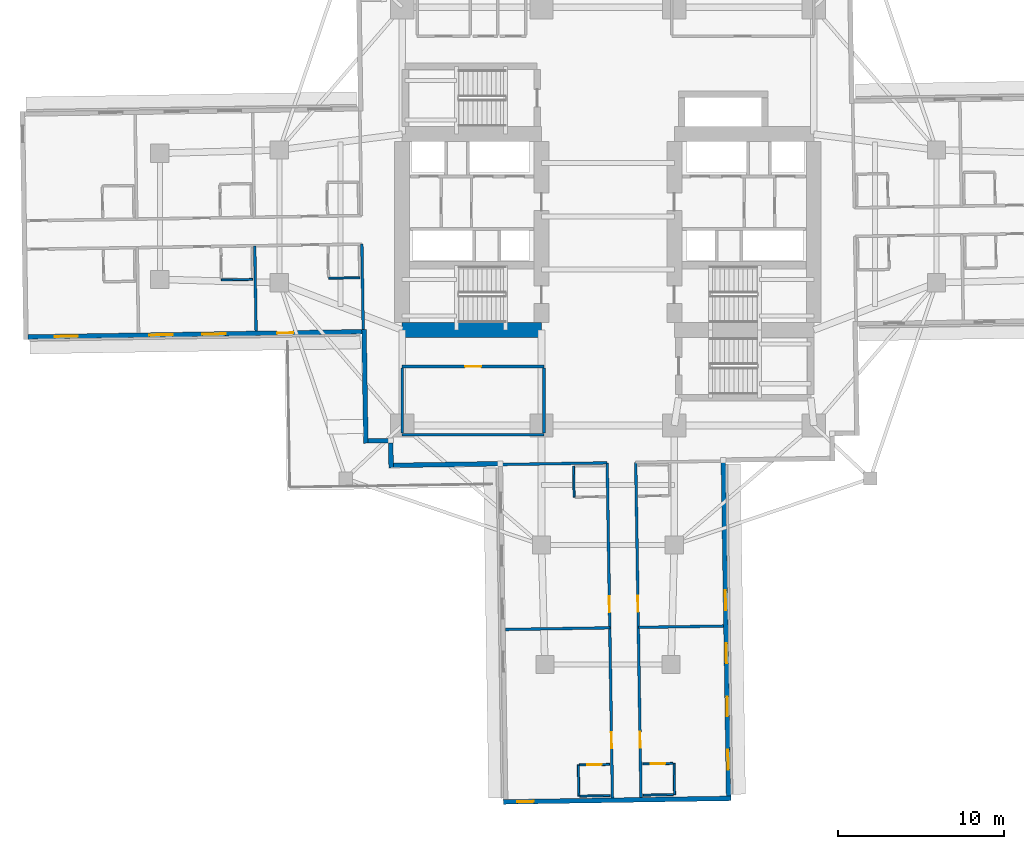
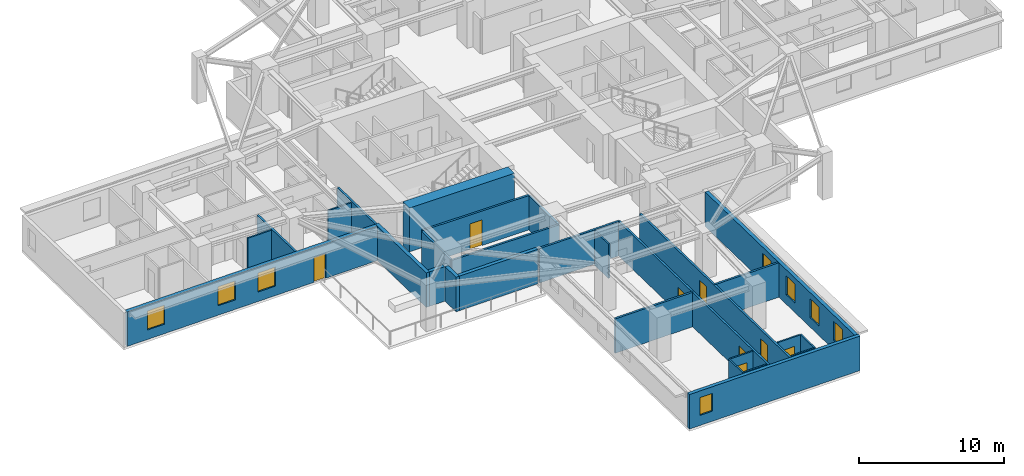
# One storey, part 3 of 14: 28 walls, 8 doors, 8 windows, 16 openings.
"""IFC4 building model written with IfcOpenShell, lengths in metres."""

from ifc_helpers import new_model, si_unit, direction, frame, frame_2d, origin, place, context, subcontext, project, spatial, rectangle, extrude, material, layer, layer_set, type_object, element, fill, save


model = new_model("IFC4")

# Units and contexts
model_context = context("Model", 3, precision=1e-05, world=origin(), true_north=direction((0.0, 1.0)))
body_context = subcontext(model_context, "Body", "Model", "MODEL_VIEW")
ifc_project = project(units=[si_unit("LENGTHUNIT", "METRE"), si_unit("AREAUNIT", "SQUARE_METRE"), si_unit("VOLUMEUNIT", "CUBIC_METRE"), si_unit("PLANEANGLEUNIT", "RADIAN"), si_unit("MASSUNIT", "GRAM", prefix="KILO")], contexts=[model_context])

# Site, building, storey
site_placement = place(None, origin())
site = spatial("IfcSite", under=ifc_project, at=site_placement, CompositionType="ELEMENT")
building_placement = place(site_placement, origin())
building = spatial("IfcBuilding", under=site, at=building_placement, Name="Qingluan Cross Belvedere", CompositionType="ELEMENT")
storey_placement = place(building_placement, frame((0.0, 0.0, 60.0)))
storey = spatial("IfcBuildingStorey", under=building, at=storey_placement, Name="L15", CompositionType="ELEMENT", Elevation=60.0)

# Walls
ifc_material_1 = material(Name="Concrete C70", Category="concrete")
ifc_layer_1 = layer(ifc_material_1, 0.89990234375, Name="CoreShearWall_900")
ifc_layer_set_1 = layer_set([ifc_layer_1], Name="Concrete C70")
wall_type_1 = type_object("IfcWallType", Name="CoreShearWall_900", PredefinedType="SHEAR", material=ifc_layer_set_1)
wall_1_placement = place(storey_placement, frame((-12.39990234375, -6.85009765625, 0.0), z_axis=(0.0, 0.0, 1.0), x_axis=(1.0, 0.0, 0.0)))
element("IfcWall", 1, at=wall_1_placement, inside=storey, type_object=wall_type_1, Name="Split core W shear wall L15-S", PredefinedType="SHEAR", context=body_context, shape_type="SweptSolid", body=[
    extrude(rectangle(XDim=8.39990234375, YDim=0.89990234375, at=frame_2d((4.199951171875, 0.0))), origin(), (0.0, 0.0, 1.0), 3.699951171875),
])
ifc_material_2 = material(Name="Gypsum plasterboard on steel stud acoustic partition", Category="steel")
ifc_layer_2 = layer(ifc_material_2, 0.159912109375, Name="CorridorPartition_160")
ifc_layer_set_2 = layer_set([ifc_layer_2], Name="Gypsum plasterboard on steel stud acoustic partition")
wall_type_2 = type_object("IfcWallType", Name="CorridorPartition_160", PredefinedType="PARTITIONING", material=ifc_layer_set_2)
wall_2_placement = place(storey_placement, frame((-12.39990234375, -13.14990234375, 0.0), z_axis=(0.0, 0.0, 1.0), x_axis=(1.0, 0.0, 0.0)))
element("IfcWall", 2, at=wall_2_placement, inside=storey, type_object=wall_type_2, Name="Partition L15:q_sw:S", PredefinedType="PARTITIONING", context=body_context, shape_type="SweptSolid", body=[
    extrude(rectangle(XDim=8.5498046875, YDim=0.159912109375, at=frame_2d((4.27490234375, 0.0))), origin(), (0.0, 0.0, 1.0), 2.89990234375),
])

# Wall, opening, door
wall_3_placement = place(storey_placement, frame((-12.39990234375, -9.050048828125, 0.0), z_axis=(0.0, 0.0, 1.0), x_axis=(1.0, 0.0, 0.0)))
wall_3 = element("IfcWall", 3, at=wall_3_placement, inside=storey, type_object=wall_type_2, Name="Partition L15:q_sw:N", PredefinedType="PARTITIONING", context=body_context, shape_type="SweptSolid", body=[
    extrude(rectangle(XDim=8.5498046875, YDim=0.159912109375, at=frame_2d((4.27490234375, 0.0))), origin(), (0.0, 0.0, 1.0), 2.89990234375),
])
opening_1_placement = place(wall_3_placement, frame((3.794921875, 0.0, 0.0)))
opening_1 = element("IfcOpeningElement", 4, at=opening_1_placement, cuts=wall_3, Name="Opening GD-10", PredefinedType="OPENING", context=body_context, shape_type="SweptSolid", body=[
    extrude(rectangle(XDim=0.9599609375, YDim=2.14990234375, at=frame_2d((0.47998046875, 1.074951171875))), frame((0.0, 0.08984375, 0.0), z_axis=(0.0, -1.0, 0.0), x_axis=(1.0, 0.0, 0.0)), (0.0, 0.0, 1.0), 0.179931640625),
])
ifc_material_3 = material(Name="Timber oak fire-rated acoustic guestroom door", Category="wood")
door_type_1 = type_object("IfcDoorType", Name="GuestEntryDoor_FD60", OperationType="NOTDEFINED", PredefinedType="DOOR", material=ifc_material_3)
door_1_placement = place(opening_1_placement, origin())
door_1 = element("IfcDoor", 5, at=door_1_placement, inside=storey, type_object=door_type_1, Name="Spa treatment suite L15 door", OperationType="SINGLE_SWING_RIGHT", OverallHeight=2.14990234375, OverallWidth=0.9599609375, PredefinedType="DOOR", context=body_context, shape_type="SweptSolid", body=[
    extrude(rectangle(XDim=0.9599609375, YDim=2.14990234375, at=frame_2d((0.47998046875, 1.074951171875))), frame((0.0, 0.02490234375, 0.0), z_axis=(0.0, -1.0, 0.0), x_axis=(1.0, 0.0, 0.0)), (0.0, 0.0, 1.0), 0.050048828125),
])
fill(opening_1, door_1)

# Walls
for number, where, z_axis, x_axis, name in (
    (6, (-12.39990234375, -13.06494140625, 0.0), (0.0, 0.0, 1.0), (0.0, 1.0, 0.0), "Partition L15:q_sw:W"),
    (7, (-3.85009765625, -13.06494140625, 0.0), (0.0, 0.0, 1.0), (0.0, 1.0, 0.0), "Partition L15:q_sw:E"),
):
    element("IfcWall", number, at=place(storey_placement, frame(where, z_axis=z_axis, x_axis=x_axis)), inside=storey, type_object=wall_type_2, Name=name, PredefinedType="PARTITIONING", context=body_context, shape_type="SweptSolid", body=[
        extrude(rectangle(XDim=3.929931640625, YDim=0.159912109375, at=frame_2d((1.96484375, 0.0))), origin(), (0.0, 0.0, 1.0), 2.89990234375),
    ])
for number, where, z_axis, x_axis, name in (
    (8, (-14.825439453125, -1.673095703125, 0.0), (0.0, 0.0, 1.0), (0.015698892967, -0.999876764786, 0.0), "Partition L15:W:s1"),
    (9, (-21.27978515625, -1.7744140625, 0.0), (0.0, 0.0, 1.0), (0.015698892967, -0.999876764786, 0.0), "Partition L15:W:d1_0"),
):
    element("IfcWall", number, at=place(storey_placement, frame(where, z_axis=z_axis, x_axis=x_axis)), inside=storey, type_object=wall_type_2, Name=name, PredefinedType="PARTITIONING", context=body_context, shape_type="SweptSolid", body=[
        extrude(rectangle(XDim=5.132080078125, YDim=0.159912109375, at=frame_2d((2.56591796875, 0.0))), origin(), (0.0, 0.0, 1.0), 2.89990234375),
    ])

# Wall, openings, doors
wall_4_placement = place(storey_placement, frame((1.673095703125, -14.825439453125, 0.0), z_axis=(0.0, 0.0, 1.0), x_axis=(0.015701893165, -0.999876717676, 0.0)))
wall_4 = element("IfcWall", 10, at=wall_4_placement, inside=storey, type_object=wall_type_2, Name="Partition L15:S:c0", PredefinedType="PARTITIONING", context=body_context, shape_type="SweptSolid", body=[
    extrude(rectangle(XDim=20.181884765625, YDim=0.159912109375, at=frame_2d((10.0908203125, 0.0))), origin(), (0.0, 0.0, 1.0), 2.89990234375),
])
opening_2_placement = place(wall_4_placement, frame((8.047119140625, 0.0, 0.0)))
opening_2 = element("IfcOpeningElement", 11, at=opening_2_placement, cuts=wall_4, Name="Opening GD-10", PredefinedType="OPENING", context=body_context, shape_type="SweptSolid", body=[
    extrude(rectangle(XDim=0.9599609375, YDim=2.14990234375, at=frame_2d((0.47998046875, 1.074951171875))), frame((0.0, 0.08984375, 0.0), z_axis=(0.0, -1.0, 0.0), x_axis=(1.0, 0.0, 0.0)), (0.0, 0.0, 1.0), 0.179931640625),
])
opening_3_placement = place(wall_4_placement, frame((16.242919921875, 0.0, 0.0)))
opening_3 = element("IfcOpeningElement", 12, at=opening_3_placement, cuts=wall_4, Name="Opening GD-10", PredefinedType="OPENING", context=body_context, shape_type="SweptSolid", body=[
    extrude(rectangle(XDim=0.9599609375, YDim=2.14990234375, at=frame_2d((0.47998046875, 1.074951171875))), frame((0.0, 0.08984375, 0.0), z_axis=(0.0, -1.0, 0.0), x_axis=(1.0, 0.0, 0.0)), (0.0, 0.0, 1.0), 0.179931640625),
])
door_2_placement = place(opening_2_placement, origin())
door_2 = element("IfcDoor", 13, at=door_2_placement, inside=storey, type_object=door_type_1, Name="Guest entry fire door 1517", OperationType="SINGLE_SWING_LEFT", OverallHeight=2.14990234375, OverallWidth=0.9599609375, PredefinedType="DOOR", context=body_context, shape_type="SweptSolid", body=[
    extrude(rectangle(XDim=0.9599609375, YDim=2.14990234375, at=frame_2d((0.47998046875, 1.074951171875))), frame((0.0, 0.02490234375, 0.0), z_axis=(0.0, -1.0, 0.0), x_axis=(1.0, 0.0, 0.0)), (0.0, 0.0, 1.0), 0.050048828125),
])
fill(opening_2, door_2)
door_3_placement = place(opening_3_placement, origin())
door_3 = element("IfcDoor", 14, at=door_3_placement, inside=storey, type_object=door_type_1, Name="Guest entry fire door 1518", OperationType="SINGLE_SWING_LEFT", OverallHeight=2.14990234375, OverallWidth=0.9599609375, PredefinedType="DOOR", context=body_context, shape_type="SweptSolid", body=[
    extrude(rectangle(XDim=0.9599609375, YDim=2.14990234375, at=frame_2d((0.47998046875, 1.074951171875))), frame((0.0, 0.02490234375, 0.0), z_axis=(0.0, -1.0, 0.0), x_axis=(1.0, 0.0, 0.0)), (0.0, 0.0, 1.0), 0.050048828125),
])
fill(opening_3, door_3)

# Wall
wall_5_placement = place(storey_placement, frame((1.8291015625, -24.765380859375, 0.0), z_axis=(0.0, 0.0, 1.0), x_axis=(0.99987677651, 0.01569814626, 0.0)))
element("IfcWall", 15, at=wall_5_placement, inside=storey, type_object=wall_type_2, Name="Partition L15:S:d0_0", PredefinedType="PARTITIONING", context=body_context, shape_type="SweptSolid", body=[
    extrude(rectangle(XDim=5.13232421875, YDim=0.159912109375, at=frame_2d((2.566162109375, 0.0))), origin(), (0.0, 0.0, 1.0), 2.89990234375),
])

# Wall, openings, doors
wall_6_placement = place(storey_placement, frame((-0.046630859375, -14.8525390625, 0.0), z_axis=(0.0, 0.0, 1.0), x_axis=(0.015701893165, -0.999876717676, 0.0)))
wall_6 = element("IfcWall", 16, at=wall_6_placement, inside=storey, type_object=wall_type_2, Name="Partition L15:S:c1", PredefinedType="PARTITIONING", context=body_context, shape_type="SweptSolid", body=[
    extrude(rectangle(XDim=20.181884765625, YDim=0.159912109375, at=frame_2d((10.0908203125, 0.0))), origin(), (0.0, 0.0, 1.0), 2.89990234375),
])
opening_4_placement = place(wall_6_placement, frame((8.047119140625, 0.0, 0.0)))
opening_4 = element("IfcOpeningElement", 17, at=opening_4_placement, cuts=wall_6, Name="Opening GD-10", PredefinedType="OPENING", context=body_context, shape_type="SweptSolid", body=[
    extrude(rectangle(XDim=0.9599609375, YDim=2.14990234375, at=frame_2d((0.47998046875, 1.074951171875))), frame((0.0, 0.08984375, 0.0), z_axis=(0.0, -1.0, 0.0), x_axis=(1.0, 0.0, 0.0)), (0.0, 0.0, 1.0), 0.179931640625),
])
opening_5_placement = place(wall_6_placement, frame((16.242919921875, 0.0, 0.0)))
opening_5 = element("IfcOpeningElement", 18, at=opening_5_placement, cuts=wall_6, Name="Opening GD-10", PredefinedType="OPENING", context=body_context, shape_type="SweptSolid", body=[
    extrude(rectangle(XDim=0.9599609375, YDim=2.14990234375, at=frame_2d((0.47998046875, 1.074951171875))), frame((0.0, 0.08984375, 0.0), z_axis=(0.0, -1.0, 0.0), x_axis=(1.0, 0.0, 0.0)), (0.0, 0.0, 1.0), 0.179931640625),
])
door_4_placement = place(opening_4_placement, origin())
door_4 = element("IfcDoor", 19, at=door_4_placement, inside=storey, type_object=door_type_1, Name="Guest entry fire door 1519", OperationType="SINGLE_SWING_LEFT", OverallHeight=2.14990234375, OverallWidth=0.9599609375, PredefinedType="DOOR", context=body_context, shape_type="SweptSolid", body=[
    extrude(rectangle(XDim=0.9599609375, YDim=2.14990234375, at=frame_2d((0.47998046875, 1.074951171875))), frame((0.0, 0.02490234375, 0.0), z_axis=(0.0, -1.0, 0.0), x_axis=(1.0, 0.0, 0.0)), (0.0, 0.0, 1.0), 0.050048828125),
])
fill(opening_4, door_4)
door_5_placement = place(opening_5_placement, origin())
door_5 = element("IfcDoor", 20, at=door_5_placement, inside=storey, type_object=door_type_1, Name="Guest entry fire door 1520", OperationType="SINGLE_SWING_LEFT", OverallHeight=2.14990234375, OverallWidth=0.9599609375, PredefinedType="DOOR", context=body_context, shape_type="SweptSolid", body=[
    extrude(rectangle(XDim=0.9599609375, YDim=2.14990234375, at=frame_2d((0.47998046875, 1.074951171875))), frame((0.0, 0.02490234375, 0.0), z_axis=(0.0, -1.0, 0.0), x_axis=(1.0, 0.0, 0.0)), (0.0, 0.0, 1.0), 0.050048828125),
])
fill(opening_5, door_5)

# Walls
wall_7_placement = place(storey_placement, frame((-0.046630859375, -14.8525390625, 0.0), z_axis=(0.0, 0.0, 1.0), x_axis=(-0.99987682984, -0.015694749102, 0.0)))
element("IfcWall", 21, at=wall_7_placement, inside=storey, type_object=wall_type_2, Name="Partition L15:S:s1", PredefinedType="PARTITIONING", context=body_context, shape_type="SweptSolid", body=[
    extrude(rectangle(XDim=6.43994140625, YDim=0.159912109375, at=frame_2d((3.219970703125, 0.0))), origin(), (0.0, 0.0, 1.0), 2.89990234375),
])
wall_8_placement = place(storey_placement, frame((0.109375, -24.792236328125, 0.0), z_axis=(0.0, 0.0, 1.0), x_axis=(-0.999876517768, -0.01571461794, 0.0)))
element("IfcWall", 22, at=wall_8_placement, inside=storey, type_object=wall_type_2, Name="Partition L15:S:d1_0", PredefinedType="PARTITIONING", context=body_context, shape_type="SweptSolid", body=[
    extrude(rectangle(XDim=6.2919921875, YDim=0.159912109375, at=frame_2d((3.14599609375, 0.0))), origin(), (0.0, 0.0, 1.0), 2.89990234375),
])
ifc_material_4 = material(Name="Moisture-resistant gypsum board lining")
ifc_layer_3 = layer(ifc_material_4, 0.1201171875, Name="EnsuiteWetPartition_120")
ifc_layer_set_3 = layer_set([ifc_layer_3], Name="Moisture-resistant gypsum board lining")
wall_type_3 = type_object("IfcWallType", Name="EnsuiteWetPartition_120", PredefinedType="PARTITIONING", material=ifc_layer_set_3)
wall_9_placement = place(storey_placement, frame((-14.95361328125, -3.7001953125, 0.0), z_axis=(0.0, 0.0, 1.0), x_axis=(-0.99987450499, -0.015842167482, 0.0)))
element("IfcWall", 23, at=wall_9_placement, inside=storey, type_object=wall_type_3, Name="Partition L15:W:bc1_0", PredefinedType="PARTITIONING", context=body_context, shape_type="SweptSolid", body=[
    extrude(rectangle(XDim=1.880126953125, YDim=0.1201171875, at=frame_2d((0.93994140625, 0.0))), origin(), (0.0, 0.0, 1.0), 2.89990234375),
])
wall_10_placement = place(storey_placement, frame((-21.407958984375, -3.8017578125, 0.0), z_axis=(0.0, 0.0, 1.0), x_axis=(-0.99987652141, -0.015714386166, 0.0)))
element("IfcWall", 24, at=wall_10_placement, inside=storey, type_object=wall_type_3, Name="Partition L15:W:bc1_1", PredefinedType="PARTITIONING", context=body_context, shape_type="SweptSolid", body=[
    extrude(rectangle(XDim=1.8798828125, YDim=0.1201171875, at=frame_2d((0.93994140625, 0.0))), origin(), (0.0, 0.0, 1.0), 2.89990234375),
])

# Wall, opening, door
wall_11_placement = place(storey_placement, frame((2.098388671875, -32.9912109375, 0.0), z_axis=(0.0, 0.0, 1.0), x_axis=(0.999874722342, 0.015828443418, 0.0)))
wall_11 = element("IfcWall", 25, at=wall_11_placement, inside=storey, type_object=wall_type_3, Name="Partition L15:S:bs0_1", PredefinedType="PARTITIONING", context=body_context, shape_type="SweptSolid", body=[
    extrude(rectangle(XDim=1.820068359375, YDim=0.1201171875, at=frame_2d((0.91015625, 0.0))), origin(), (0.0, 0.0, 1.0), 2.89990234375),
])
opening_6_placement = place(wall_11_placement, frame((0.469970703125, 0.0, 0.0)))
opening_6 = element("IfcOpeningElement", 26, at=opening_6_placement, cuts=wall_11, Name="Opening BD-09", PredefinedType="OPENING", context=body_context, shape_type="SweptSolid", body=[
    extrude(rectangle(XDim=0.8798828125, YDim=2.10009765625, at=frame_2d((0.43994140625, 1.050048828125))), frame((0.0, 0.070068359375, 0.0), z_axis=(0.0, -1.0, 0.0), x_axis=(1.0, 0.0, 0.0)), (0.0, 0.0, 1.0), 0.14013671875),
])
ifc_material_5 = material(Name="Moisture-sealed timber en-suite door", Category="wood")
door_type_2 = type_object("IfcDoorType", Name="BathroomDoor_880", OperationType="NOTDEFINED", PredefinedType="DOOR", material=ifc_material_5)
door_6_placement = place(opening_6_placement, origin())
door_6 = element("IfcDoor", 27, at=door_6_placement, inside=storey, type_object=door_type_2, Name="Bathroom door 1518", OperationType="SINGLE_SWING_RIGHT", OverallHeight=2.10009765625, OverallWidth=0.8798828125, PredefinedType="DOOR", context=body_context, shape_type="SweptSolid", body=[
    extrude(rectangle(XDim=0.8798828125, YDim=2.10009765625, at=frame_2d((0.43994140625, 1.050048828125))), frame((0.0, 0.02490234375, 0.0), z_axis=(0.0, -1.0, 0.0), x_axis=(1.0, 0.0, 0.0)), (0.0, 0.0, 1.0), 0.050048828125),
])
fill(opening_6, door_6)

# Walls
wall_12_placement = place(storey_placement, frame((2.1279296875, -34.870849609375, 0.0), z_axis=(0.0, 0.0, 1.0), x_axis=(0.999876836305, 0.015694337248, 0.0)))
element("IfcWall", 28, at=wall_12_placement, inside=storey, type_object=wall_type_3, Name="Partition L15:S:bw0_1", PredefinedType="PARTITIONING", context=body_context, shape_type="SweptSolid", body=[
    extrude(rectangle(XDim=1.820068359375, YDim=0.1201171875, at=frame_2d((0.91015625, 0.0))), origin(), (0.0, 0.0, 1.0), 2.89990234375),
])
wall_13_placement = place(storey_placement, frame((3.983154296875, -32.96142578125, 0.0), z_axis=(0.0, 0.0, 1.0), x_axis=(0.01571234584, -0.999876553475, 0.0)))
element("IfcWall", 29, at=wall_13_placement, inside=storey, type_object=wall_type_3, Name="Partition L15:S:bn0_1", PredefinedType="PARTITIONING", context=body_context, shape_type="SweptSolid", body=[
    extrude(rectangle(XDim=1.880126953125, YDim=0.1201171875, at=frame_2d((0.93994140625, 0.0))), origin(), (0.0, 0.0, 1.0), 2.89990234375),
])
wall_14_placement = place(storey_placement, frame((-2.06884765625, -15.04443359375, 0.0), z_axis=(0.0, 0.0, 1.0), x_axis=(0.015714386166, -0.99987652141, 0.0)))
element("IfcWall", 30, at=wall_14_placement, inside=storey, type_object=wall_type_3, Name="Partition L15:S:bc1_0", PredefinedType="PARTITIONING", context=body_context, shape_type="SweptSolid", body=[
    extrude(rectangle(XDim=1.8798828125, YDim=0.1201171875, at=frame_2d((0.93994140625, 0.0))), origin(), (0.0, 0.0, 1.0), 2.89990234375),
])

# Wall, opening, door
wall_15_placement = place(storey_placement, frame((-1.72119140625, -33.051025390625, 0.0), z_axis=(0.0, 0.0, 1.0), x_axis=(0.999876836305, 0.015694337248, 0.0)))
wall_15 = element("IfcWall", 31, at=wall_15_placement, inside=storey, type_object=wall_type_3, Name="Partition L15:S:bs1_1", PredefinedType="PARTITIONING", context=body_context, shape_type="SweptSolid", body=[
    extrude(rectangle(XDim=1.820068359375, YDim=0.1201171875, at=frame_2d((0.91015625, 0.0))), origin(), (0.0, 0.0, 1.0), 2.89990234375),
])
opening_7_placement = place(wall_15_placement, frame((0.469970703125, 0.0, 0.0)))
opening_7 = element("IfcOpeningElement", 32, at=opening_7_placement, cuts=wall_15, Name="Opening BD-09", PredefinedType="OPENING", context=body_context, shape_type="SweptSolid", body=[
    extrude(rectangle(XDim=0.8798828125, YDim=2.10009765625, at=frame_2d((0.43994140625, 1.050048828125))), frame((0.0, 0.070068359375, 0.0), z_axis=(0.0, -1.0, 0.0), x_axis=(1.0, 0.0, 0.0)), (0.0, 0.0, 1.0), 0.14013671875),
])
door_7_placement = place(opening_7_placement, origin())
door_7 = element("IfcDoor", 33, at=door_7_placement, inside=storey, type_object=door_type_2, Name="Bathroom door 1520", OperationType="SINGLE_SWING_RIGHT", OverallHeight=2.10009765625, OverallWidth=0.8798828125, PredefinedType="DOOR", context=body_context, shape_type="SweptSolid", body=[
    extrude(rectangle(XDim=0.8798828125, YDim=2.10009765625, at=frame_2d((0.43994140625, 1.050048828125))), frame((0.0, 0.02490234375, 0.0), z_axis=(0.0, -1.0, 0.0), x_axis=(1.0, 0.0, 0.0)), (0.0, 0.0, 1.0), 0.050048828125),
])
fill(opening_7, door_7)

# Walls
wall_16_placement = place(storey_placement, frame((-1.69140625, -34.930908203125, 0.0), z_axis=(0.0, 0.0, 1.0), x_axis=(0.999876803258, 0.015696442504, 0.0)))
element("IfcWall", 34, at=wall_16_placement, inside=storey, type_object=wall_type_3, Name="Partition L15:S:bw1_1", PredefinedType="PARTITIONING", context=body_context, shape_type="SweptSolid", body=[
    extrude(rectangle(XDim=1.81982421875, YDim=0.1201171875, at=frame_2d((0.909912109375, 0.0))), origin(), (0.0, 0.0, 1.0), 2.89990234375),
])
wall_17_placement = place(storey_placement, frame((-1.7861328125, -33.052001953125, 0.0), z_axis=(0.0, 0.0, 1.0), x_axis=(0.01571234584, -0.999876553475, 0.0)))
element("IfcWall", 35, at=wall_17_placement, inside=storey, type_object=wall_type_3, Name="Partition L15:S:bc1_1", PredefinedType="PARTITIONING", context=body_context, shape_type="SweptSolid", body=[
    extrude(rectangle(XDim=1.880126953125, YDim=0.1201171875, at=frame_2d((0.93994140625, 0.0))), origin(), (0.0, 0.0, 1.0), 2.89990234375),
])

# Wall, openings, windows, door
ifc_material_6 = material(Name="Precast concrete C45", Category="concrete")
ifc_layer_4 = layer(ifc_material_6, 0.280029296875, Name="PrecastFacadeWall_280")
ifc_layer_set_4 = layer_set([ifc_layer_4], Name="Precast concrete C45")
wall_type_4 = type_object("IfcWallType", Name="PrecastFacadeWall_280", PredefinedType="STANDARD", material=ifc_layer_set_4)
wall_18_placement = place(storey_placement, frame((-34.93017578125, -7.26953125, 0.0), z_axis=(0.0, 0.0, 1.0), x_axis=(0.999876667941, 0.015705059908, 0.0)))
wall_18 = element("IfcWall", 36, at=wall_18_placement, inside=storey, type_object=wall_type_4, Name="Facade wall L15-WB", PredefinedType="STANDARD", context=body_context, shape_type="SweptSolid", body=[
    extrude(rectangle(XDim=20.10009765625, YDim=0.280029296875, at=frame_2d((10.050048828125, 0.0))), origin(), (0.0, 0.0, 1.0), 2.909912109375),
])
opening_8_placement = place(wall_18_placement, frame((1.60009765625, 0.0, 0.800048828125)))
opening_8 = element("IfcOpeningElement", 37, at=opening_8_placement, cuts=wall_18, Name="Opening W-01", PredefinedType="OPENING", context=body_context, shape_type="SweptSolid", body=[
    extrude(rectangle(XDim=1.39990234375, YDim=1.60009765625, at=frame_2d((0.699951171875, 0.800048828125))), frame((0.0, 0.14990234375, 0.0), z_axis=(0.0, -1.0, 0.0), x_axis=(1.0, 0.0, 0.0)), (0.0, 0.0, 1.0), 0.300048828125),
])
opening_9_placement = place(wall_18_placement, frame((7.300048828125, 0.0, 0.800048828125)))
opening_9 = element("IfcOpeningElement", 38, at=opening_9_placement, cuts=wall_18, Name="Opening W-01", PredefinedType="OPENING", context=body_context, shape_type="SweptSolid", body=[
    extrude(rectangle(XDim=1.39990234375, YDim=1.60009765625, at=frame_2d((0.699951171875, 0.800048828125))), frame((0.0, 0.14990234375, 0.0), z_axis=(0.0, -1.0, 0.0), x_axis=(1.0, 0.0, 0.0)), (0.0, 0.0, 1.0), 0.300048828125),
])
opening_10_placement = place(wall_18_placement, frame((10.5, 0.0, 0.800048828125)))
opening_10 = element("IfcOpeningElement", 39, at=opening_10_placement, cuts=wall_18, Name="Opening W-01", PredefinedType="OPENING", context=body_context, shape_type="SweptSolid", body=[
    extrude(rectangle(XDim=1.39990234375, YDim=1.60009765625, at=frame_2d((0.699951171875, 0.800048828125))), frame((0.0, 0.14990234375, 0.0), z_axis=(0.0, -1.0, 0.0), x_axis=(1.0, 0.0, 0.0)), (0.0, 0.0, 1.0), 0.300048828125),
])
opening_11_placement = place(wall_18_placement, frame((15.0, 0.0, 0.0)))
opening_11 = element("IfcOpeningElement", 40, at=opening_11_placement, cuts=wall_18, Name="Opening WD-10", PredefinedType="OPENING", context=body_context, shape_type="SweptSolid", body=[
    extrude(rectangle(XDim=0.9599609375, YDim=2.10009765625, at=frame_2d((0.47998046875, 1.050048828125))), frame((0.0, 0.14990234375, 0.0), z_axis=(0.0, -1.0, 0.0), x_axis=(1.0, 0.0, 0.0)), (0.0, 0.0, 1.0), 0.300048828125),
])
ifc_material_7 = material(Name="Thermally broken triple Low-E glass in aluminium frame", Category="aluminium")
window_type_1 = type_object("IfcWindowType", Name="TriRibbonWin_1400x1600", PartitioningType="SINGLE_PANEL", PredefinedType="WINDOW", material=ifc_material_7)
window_1_placement = place(opening_8_placement, origin())
window_1 = element("IfcWindow", 41, at=window_1_placement, inside=storey, type_object=window_type_1, Name="Ribbon window L15-WB-1", OverallHeight=1.60009765625, OverallWidth=1.39990234375, PartitioningType="SINGLE_PANEL", PredefinedType="WINDOW", context=body_context, shape_type="SweptSolid", body=[
    extrude(rectangle(XDim=1.39990234375, YDim=1.60009765625, at=frame_2d((0.699951171875, 0.800048828125))), frame((0.0, 0.030029296875, 0.0), z_axis=(0.0, -1.0, 0.0), x_axis=(1.0, 0.0, 0.0)), (0.0, 0.0, 1.0), 0.06005859375),
])
fill(opening_8, window_1)
window_2_placement = place(opening_9_placement, origin())
window_2 = element("IfcWindow", 42, at=window_2_placement, inside=storey, type_object=window_type_1, Name="Ribbon window L15-WB-2", OverallHeight=1.60009765625, OverallWidth=1.39990234375, PartitioningType="SINGLE_PANEL", PredefinedType="WINDOW", context=body_context, shape_type="SweptSolid", body=[
    extrude(rectangle(XDim=1.39990234375, YDim=1.60009765625, at=frame_2d((0.699951171875, 0.800048828125))), frame((0.0, 0.030029296875, 0.0), z_axis=(0.0, -1.0, 0.0), x_axis=(1.0, 0.0, 0.0)), (0.0, 0.0, 1.0), 0.06005859375),
])
fill(opening_9, window_2)
window_3_placement = place(opening_10_placement, origin())
window_3 = element("IfcWindow", 43, at=window_3_placement, inside=storey, type_object=window_type_1, Name="Ribbon window L15-WB-3", OverallHeight=1.60009765625, OverallWidth=1.39990234375, PartitioningType="SINGLE_PANEL", PredefinedType="WINDOW", context=body_context, shape_type="SweptSolid", body=[
    extrude(rectangle(XDim=1.39990234375, YDim=1.60009765625, at=frame_2d((0.699951171875, 0.800048828125))), frame((0.0, 0.030029296875, 0.0), z_axis=(0.0, -1.0, 0.0), x_axis=(1.0, 0.0, 0.0)), (0.0, 0.0, 1.0), 0.06005859375),
])
fill(opening_10, window_3)
ifc_material_8 = material(Name="Thermally broken aluminium and Low-E glass", Category="aluminium")
door_type_3 = type_object("IfcDoorType", Name="WinterGardenDoor_096", OperationType="NOTDEFINED", PredefinedType="DOOR", material=ifc_material_8)
door_8_placement = place(opening_11_placement, origin())
door_8 = element("IfcDoor", 44, at=door_8_placement, inside=storey, type_object=door_type_3, Name="Outdoor terrace access door L15-spi", OperationType="SINGLE_SWING_LEFT", OverallHeight=2.10009765625, OverallWidth=0.9599609375, PredefinedType="DOOR", context=body_context, shape_type="SweptSolid", body=[
    extrude(rectangle(XDim=0.9599609375, YDim=2.10009765625, at=frame_2d((0.47998046875, 1.050048828125))), frame((0.0, 0.02490234375, 0.0), z_axis=(0.0, -1.0, 0.0), x_axis=(1.0, 0.0, 0.0)), (0.0, 0.0, 1.0), 0.050048828125),
])
fill(opening_11, door_8)

# Wall, openings, windows
wall_19_placement = place(storey_placement, frame((7.26953125, -34.93017578125, 0.0), z_axis=(0.0, 0.0, 1.0), x_axis=(-0.015705059908, 0.999876667941, 0.0)))
wall_19 = element("IfcWall", 45, at=wall_19_placement, inside=storey, type_object=wall_type_4, Name="Facade wall L15-SB", PredefinedType="STANDARD", context=body_context, shape_type="SweptSolid", body=[
    extrude(rectangle(XDim=20.10009765625, YDim=0.280029296875, at=frame_2d((10.050048828125, 0.0))), origin(), (0.0, 0.0, 1.0), 2.909912109375),
])
opening_12_placement = place(wall_19_placement, frame((1.60009765625, 0.0, 0.800048828125)))
opening_12 = element("IfcOpeningElement", 46, at=opening_12_placement, cuts=wall_19, Name="Opening W-02", PredefinedType="OPENING", context=body_context, shape_type="SweptSolid", body=[
    extrude(rectangle(XDim=1.199951171875, YDim=1.60009765625, at=frame_2d((0.60009765625, 0.800048828125))), frame((0.0, 0.14990234375, 0.0), z_axis=(0.0, -1.0, 0.0), x_axis=(1.0, 0.0, 0.0)), (0.0, 0.0, 1.0), 0.300048828125),
])
opening_13_placement = place(wall_19_placement, frame((4.800048828125, 0.0, 0.800048828125)))
opening_13 = element("IfcOpeningElement", 47, at=opening_13_placement, cuts=wall_19, Name="Opening W-02", PredefinedType="OPENING", context=body_context, shape_type="SweptSolid", body=[
    extrude(rectangle(XDim=1.199951171875, YDim=1.60009765625, at=frame_2d((0.60009765625, 0.800048828125))), frame((0.0, 0.14990234375, 0.0), z_axis=(0.0, -1.0, 0.0), x_axis=(1.0, 0.0, 0.0)), (0.0, 0.0, 1.0), 0.300048828125),
])
opening_14_placement = place(wall_19_placement, frame((8.0, 0.0, 0.800048828125)))
opening_14 = element("IfcOpeningElement", 48, at=opening_14_placement, cuts=wall_19, Name="Opening W-02", PredefinedType="OPENING", context=body_context, shape_type="SweptSolid", body=[
    extrude(rectangle(XDim=1.199951171875, YDim=1.60009765625, at=frame_2d((0.60009765625, 0.800048828125))), frame((0.0, 0.14990234375, 0.0), z_axis=(0.0, -1.0, 0.0), x_axis=(1.0, 0.0, 0.0)), (0.0, 0.0, 1.0), 0.300048828125),
])
opening_15_placement = place(wall_19_placement, frame((11.199951171875, 0.0, 0.800048828125)))
opening_15 = element("IfcOpeningElement", 49, at=opening_15_placement, cuts=wall_19, Name="Opening W-02", PredefinedType="OPENING", context=body_context, shape_type="SweptSolid", body=[
    extrude(rectangle(XDim=1.199951171875, YDim=1.60009765625, at=frame_2d((0.60009765625, 0.800048828125))), frame((0.0, 0.14990234375, 0.0), z_axis=(0.0, -1.0, 0.0), x_axis=(1.0, 0.0, 0.0)), (0.0, 0.0, 1.0), 0.300048828125),
])
ifc_material_9 = material(Name="Thermally broken triple Low-E glass in aluminium frame", Category="aluminium")
window_type_2 = type_object("IfcWindowType", Name="TriRibbonWin_1200x1600", PartitioningType="SINGLE_PANEL", PredefinedType="WINDOW", material=ifc_material_9)
window_4_placement = place(opening_12_placement, origin())
window_4 = element("IfcWindow", 50, at=window_4_placement, inside=storey, type_object=window_type_2, Name="Ribbon window L15-SB-1", OverallHeight=1.60009765625, OverallWidth=1.199951171875, PartitioningType="SINGLE_PANEL", PredefinedType="WINDOW", context=body_context, shape_type="SweptSolid", body=[
    extrude(rectangle(XDim=1.199951171875, YDim=1.60009765625, at=frame_2d((0.60009765625, 0.800048828125))), frame((0.0, 0.030029296875, 0.0), z_axis=(0.0, -1.0, 0.0), x_axis=(1.0, 0.0, 0.0)), (0.0, 0.0, 1.0), 0.06005859375),
])
fill(opening_12, window_4)
window_5_placement = place(opening_13_placement, origin())
window_5 = element("IfcWindow", 51, at=window_5_placement, inside=storey, type_object=window_type_2, Name="Ribbon window L15-SB-2", OverallHeight=1.60009765625, OverallWidth=1.199951171875, PartitioningType="SINGLE_PANEL", PredefinedType="WINDOW", context=body_context, shape_type="SweptSolid", body=[
    extrude(rectangle(XDim=1.199951171875, YDim=1.60009765625, at=frame_2d((0.60009765625, 0.800048828125))), frame((0.0, 0.030029296875, 0.0), z_axis=(0.0, -1.0, 0.0), x_axis=(1.0, 0.0, 0.0)), (0.0, 0.0, 1.0), 0.06005859375),
])
fill(opening_13, window_5)
window_6_placement = place(opening_14_placement, origin())
window_6 = element("IfcWindow", 52, at=window_6_placement, inside=storey, type_object=window_type_2, Name="Ribbon window L15-SB-3", OverallHeight=1.60009765625, OverallWidth=1.199951171875, PartitioningType="SINGLE_PANEL", PredefinedType="WINDOW", context=body_context, shape_type="SweptSolid", body=[
    extrude(rectangle(XDim=1.199951171875, YDim=1.60009765625, at=frame_2d((0.60009765625, 0.800048828125))), frame((0.0, 0.030029296875, 0.0), z_axis=(0.0, -1.0, 0.0), x_axis=(1.0, 0.0, 0.0)), (0.0, 0.0, 1.0), 0.06005859375),
])
fill(opening_14, window_6)
window_7_placement = place(opening_15_placement, origin())
window_7 = element("IfcWindow", 53, at=window_7_placement, inside=storey, type_object=window_type_2, Name="Ribbon window L15-SB-4", OverallHeight=1.60009765625, OverallWidth=1.199951171875, PartitioningType="SINGLE_PANEL", PredefinedType="WINDOW", context=body_context, shape_type="SweptSolid", body=[
    extrude(rectangle(XDim=1.199951171875, YDim=1.60009765625, at=frame_2d((0.60009765625, 0.800048828125))), frame((0.0, 0.030029296875, 0.0), z_axis=(0.0, -1.0, 0.0), x_axis=(1.0, 0.0, 0.0)), (0.0, 0.0, 1.0), 0.06005859375),
])
fill(opening_15, window_7)

# Wall, opening, window
wall_20_placement = place(storey_placement, frame((-6.306640625, -35.283447265625, 0.0), z_axis=(0.0, 0.0, 1.0), x_axis=(0.999876549481, 0.015712599986, 0.0)))
wall_20 = element("IfcWall", 54, at=wall_20_placement, inside=storey, type_object=wall_type_4, Name="Arm tip precast facade wall L15-S", PredefinedType="STANDARD", context=body_context, shape_type="SweptSolid", body=[
    extrude(rectangle(XDim=13.719970703125, YDim=0.280029296875, at=frame_2d((6.85986328125, 0.0))), origin(), (0.0, 0.0, 1.0), 2.909912109375),
])
opening_16_placement = place(wall_20_placement, frame((0.85009765625, 0.0, 0.85009765625)))
opening_16 = element("IfcOpeningElement", 55, at=opening_16_placement, cuts=wall_20, Name="Opening W-03", PredefinedType="OPENING", context=body_context, shape_type="SweptSolid", body=[
    extrude(rectangle(XDim=1.0, YDim=1.5, at=frame_2d((0.5, 0.75))), frame((0.0, 0.14990234375, 0.0), z_axis=(0.0, -1.0, 0.0), x_axis=(1.0, 0.0, 0.0)), (0.0, 0.0, 1.0), 0.300048828125),
])
ifc_material_10 = material(Name="Thermally broken triple Low-E glass in aluminium frame", Category="aluminium")
window_type_3 = type_object("IfcWindowType", Name="TriApexWin_1000x1500", PartitioningType="SINGLE_PANEL", PredefinedType="WINDOW", material=ifc_material_10)
window_8_placement = place(opening_16_placement, origin())
window_8 = element("IfcWindow", 56, at=window_8_placement, inside=storey, type_object=window_type_3, Name="Arm tip triangular window L15-S", OverallHeight=1.5, OverallWidth=1.0, PartitioningType="SINGLE_PANEL", PredefinedType="WINDOW", context=body_context, shape_type="SweptSolid", body=[
    extrude(rectangle(XDim=1.0, YDim=1.5, at=frame_2d((0.5, 0.75))), frame((0.0, 0.030029296875, 0.0), z_axis=(0.0, -1.0, 0.0), x_axis=(1.0, 0.0, 0.0)), (0.0, 0.0, 1.0), 0.06005859375),
])
fill(opening_16, window_8)

# Walls
wall_21_placement = place(storey_placement, frame((-14.69482421875, -6.811767578125, 0.0), z_axis=(0.0, 0.0, 1.0), x_axis=(0.015694809807, -0.999876828887, 0.0)))
element("IfcWall", 57, at=wall_21_placement, inside=storey, type_object=wall_type_4, Name="Corner wall L15-SW1", PredefinedType="STANDARD", context=body_context, shape_type="SweptSolid", body=[
    extrude(rectangle(XDim=6.85986328125, YDim=0.280029296875, at=frame_2d((3.429931640625, 0.0))), origin(), (0.0, 0.0, 1.0), 2.909912109375),
])
wall_22_placement = place(storey_placement, frame((-14.44921875, -13.528564453125, 0.0), z_axis=(0.0, 0.0, 1.0), x_axis=(0.999878147354, 0.015610587569, 0.0)))
element("IfcWall", 58, at=wall_22_placement, inside=storey, type_object=wall_type_4, Name="Corner wall L15-SW2", PredefinedType="STANDARD", context=body_context, shape_type="SweptSolid", body=[
    extrude(rectangle(XDim=1.219970703125, YDim=0.280029296875, at=frame_2d((0.60986328125, 0.0))), origin(), (0.0, 0.0, 1.0), 2.909912109375),
])
wall_23_placement = place(storey_placement, frame((-13.08740234375, -13.647216796875, 0.0), z_axis=(0.0, 0.0, 1.0), x_axis=(0.015785793208, -0.999875396603, 0.0)))
element("IfcWall", 59, at=wall_23_placement, inside=storey, type_object=wall_type_4, Name="Corner wall L15-SW3", PredefinedType="STANDARD", context=body_context, shape_type="SweptSolid", body=[
    extrude(rectangle(XDim=1.500244140625, YDim=0.280029296875, at=frame_2d((0.75, 0.0))), origin(), (0.0, 0.0, 1.0), 2.909912109375),
])
wall_24_placement = place(storey_placement, frame((-12.92578125, -15.0048828125, 0.0), z_axis=(0.0, 0.0, 1.0), x_axis=(0.999876823822, 0.015695132501, 0.0)))
element("IfcWall", 60, at=wall_24_placement, inside=storey, type_object=wall_type_4, Name="Corner wall L15-SW4", PredefinedType="STANDARD", context=body_context, shape_type="SweptSolid", body=[
    extrude(rectangle(XDim=6.2998046875, YDim=0.280029296875, at=frame_2d((3.14990234375, 0.0))), origin(), (0.0, 0.0, 1.0), 2.909912109375),
])

save(model, "model.ifc")
